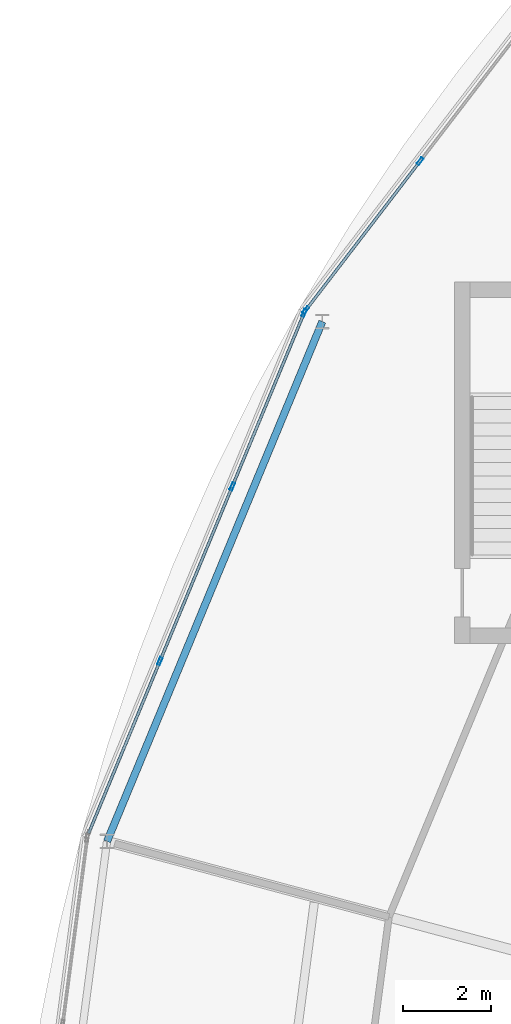
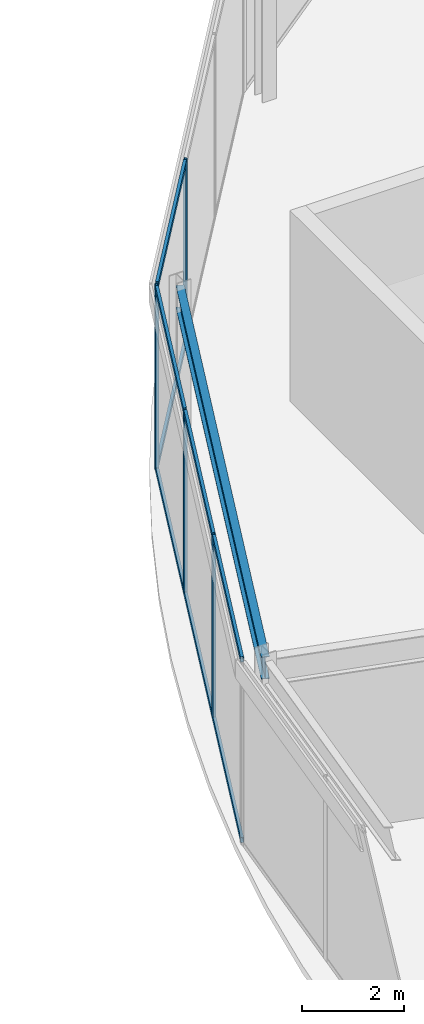
# One storey, part 51 of 133: 13 members, 1 beam, 2 elements without a shape of their own.
"""IFC4 building model written with IfcOpenShell, lengths in metres."""

from ifc_helpers import new_model, si_unit, direction, frame, origin, origin_2d, place, context, subcontext, project, spatial, hollow_rectangle, i_section, extrude, material, material_profile, profile_set, type_object, element, aggregate, save


model = new_model("IFC4")

# Units and contexts
model_context = context("Model", 3, precision=1e-05, world=origin(), true_north=direction((0.0, 1.0)))
body_context = subcontext(model_context, "Body", "Model", "MODEL_VIEW")
ifc_project = project(units=[si_unit("LENGTHUNIT", "METRE"), si_unit("AREAUNIT", "SQUARE_METRE"), si_unit("VOLUMEUNIT", "CUBIC_METRE"), si_unit("PLANEANGLEUNIT", "RADIAN"), si_unit("MASSUNIT", "GRAM", prefix="KILO")], contexts=[model_context])

# Site, building, storey
site_placement = place(None, origin())
site = spatial("IfcSite", under=ifc_project, at=site_placement, CompositionType="ELEMENT")
building_placement = place(site_placement, origin())
building = spatial("IfcBuilding", under=site, at=building_placement, Name="Almandine Court Research Institute", CompositionType="ELEMENT")
storey_placement = place(building_placement, frame((0.0, 0.0, 9.800048828125)))
storey = spatial("IfcBuildingStorey", under=building, at=storey_placement, Name="L02", CompositionType="ELEMENT", Elevation=9.800048828125)

# Beam
ifc_material_1 = material(Name="Steel ASTM A992 Grade 50", Category="steel")
ifc_material_profile_1 = material_profile(ifc_material_1, i_section(OverallWidth=0.166015625, OverallDepth=0.534912109375, WebThickness=0.010009765625, FlangeThickness=0.01708984375, at=origin_2d()), Name="W530x85")
ifc_profile_set_1 = profile_set([ifc_material_profile_1], Name="Steel ASTM A992 Grade 50")
beam_type = type_object("IfcBeamType", Name="Beam-G-05-E", PredefinedType="SPANDREL", material=ifc_profile_set_1)
beam_placement = place(storey_placement, frame((44.65087890625, 80.449951171875, 4.10205078125), z_axis=(-0.382653578879, -0.923891897665, 0.0), x_axis=(0.923891897665, -0.382653578879, 0.0)))
element("IfcBeam", 1, at=beam_placement, inside=storey, type_object=beam_type, Name="L02 Drum OUT Ring Beam 10", PredefinedType="SPANDREL", context=body_context, shape_type="SweptSolid", body=[
    extrude(i_section(OverallWidth=0.166015625, OverallDepth=0.534912109375, WebThickness=0.010009765625, FlangeThickness=0.01708984375, at=origin_2d()), origin(), (0.0, 0.0, 1.0), 12.765625),
])

# Curtain wall, members
ifc_material_2 = material(Name="Unitised Curtain Wall Framing and Solar Glazing", Category="glass")
curtain_wall_type = type_object("IfcCurtainWallType", Name="CW-CWJ-19", PredefinedType="USERDEFINED", material=ifc_material_2)
curtain_wall_1_placement = place(storey_placement, origin())
curtain_wall_1 = element("IfcCurtainWall", 2, at=curtain_wall_1_placement, inside=storey, type_object=curtain_wall_type, Name="L02 Stacked-Ring Drum Outer Solar Jali Screen 09", ObjectType="SOLAR JALI SCREEN", PredefinedType="USERDEFINED")
ifc_material_3 = material(Name="Anodised Aluminium AW-6063-T6", Category="aluminium")
ifc_material_profile_2 = material_profile(ifc_material_3, hollow_rectangle(XDim=0.06494140625, YDim=0.179931640625, WallThickness=0.00390625, at=origin_2d()), Name="ALU RHS 65x180x4")
ifc_profile_set_2 = profile_set([ifc_material_profile_2], Name="Anodised Aluminium AW-6063-T6")
member_type_1 = type_object("IfcMemberType", Name="CWMul-65x180", PredefinedType="MULLION", material=ifc_profile_set_2)
member_1_placement = place(storey_placement, frame((44.27490234375, 80.708740234375, 0.0), z_axis=(0.0, 0.0, 1.0), x_axis=(-0.793382586046, 0.608723313303, 0.0)))
member_1 = element("IfcMember", 3, at=member_1_placement, type_object=member_type_1, Name="CWJ-19 mullion 1", PredefinedType="MULLION", context=body_context, shape_type="SweptSolid", body=[
    extrude(hollow_rectangle(XDim=0.06494140625, YDim=0.179931640625, WallThickness=0.00390625, at=origin_2d()), origin(), (0.0, 0.0, 1.0), 4.369873046875),
])
member_2_placement = place(storey_placement, frame((46.867919921875, 84.088623046875, 0.0), z_axis=(0.0, 0.0, 1.0), x_axis=(-0.793382586046, 0.608723313303, 0.0)))
member_2 = element("IfcMember", 4, at=member_2_placement, type_object=member_type_1, Name="CWJ-19 mullion 2", PredefinedType="MULLION", context=body_context, shape_type="SweptSolid", body=[
    extrude(hollow_rectangle(XDim=0.06494140625, YDim=0.179931640625, WallThickness=0.00390625, at=origin_2d()), origin(), (0.0, 0.0, 1.0), 4.369873046875),
])

curtain_wall_2_placement = place(storey_placement, origin())
curtain_wall_2 = element("IfcCurtainWall", 5, at=curtain_wall_2_placement, inside=storey, type_object=curtain_wall_type, Name="L02 Stacked-Ring Drum Outer Solar Jali Screen 10", ObjectType="SOLAR JALI SCREEN", PredefinedType="USERDEFINED")
member_3_placement = place(storey_placement, frame((40.965576171875, 72.7451171875, 0.0), z_axis=(0.0, 0.0, 1.0), x_axis=(-0.923888124321, 0.382662689242, 0.0)))
member_3 = element("IfcMember", 6, at=member_3_placement, type_object=member_type_1, Name="CWJ-19 mullion 2", PredefinedType="MULLION", context=body_context, shape_type="SweptSolid", body=[
    extrude(hollow_rectangle(XDim=0.06494140625, YDim=0.179931640625, WallThickness=0.00390625, at=origin_2d()), origin(), (0.0, 0.0, 1.0), 4.369873046875),
])
member_4_placement = place(storey_placement, frame((42.6083984375, 76.7109375, 0.0), z_axis=(0.0, 0.0, 1.0), x_axis=(-0.923888124321, 0.382662689242, 0.0)))
member_4 = element("IfcMember", 7, at=member_4_placement, type_object=member_type_1, Name="CWJ-19 mullion 3", PredefinedType="MULLION", context=body_context, shape_type="SweptSolid", body=[
    extrude(hollow_rectangle(XDim=0.06494140625, YDim=0.179931640625, WallThickness=0.00390625, at=origin_2d()), origin(), (0.0, 0.0, 1.0), 4.369873046875),
])
member_5_placement = place(storey_placement, frame((44.238525390625, 80.64697265625, 0.0), z_axis=(0.0, 0.0, 1.0), x_axis=(-0.923888124321, 0.382662689242, 0.0)))
member_5 = element("IfcMember", 8, at=member_5_placement, type_object=member_type_1, Name="CWJ-19 mullion 4", PredefinedType="MULLION", context=body_context, shape_type="SweptSolid", body=[
    extrude(hollow_rectangle(XDim=0.06494140625, YDim=0.179931640625, WallThickness=0.00390625, at=origin_2d()), origin(), (0.0, 0.0, 1.0), 4.369873046875),
])

# Member
ifc_material_profile_3 = material_profile(ifc_material_3, hollow_rectangle(XDim=0.06494140625, YDim=0.1298828125, WallThickness=0.00390625, at=origin_2d()), Name="ALU RHS 65x130x4")
ifc_profile_set_3 = profile_set([ifc_material_profile_3], Name="Anodised Aluminium AW-6063-T6")
member_type_2 = type_object("IfcMemberType", Name="CWTrn-65x130", PredefinedType="NOTDEFINED", material=ifc_profile_set_3)
member_6_placement = place(storey_placement, frame((44.294677734375, 80.734619140625, 0.032470703125), z_axis=(0.608689308041, 0.793408675449, 0.0), x_axis=(-0.793408675449, 0.608689308041, 0.0)))
member_6 = element("IfcMember", 9, at=member_6_placement, type_object=member_type_2, Name="CWJ-19 transom 1.1", ObjectType="TRANSOM", PredefinedType="USERDEFINED", context=body_context, shape_type="SweptSolid", body=[
    extrude(hollow_rectangle(XDim=0.06494140625, YDim=0.1298828125, WallThickness=0.00390625, at=origin_2d()), origin(), (0.0, 0.0, 1.0), 4.195068359375),
])

member_7_placement = place(storey_placement, frame((44.294677734375, 80.734619140625, 4.33740234375), z_axis=(0.608689308041, 0.793408675449, 0.0), x_axis=(-0.793408675449, 0.608689308041, 0.0)))
member_7 = element("IfcMember", 10, at=member_7_placement, type_object=member_type_2, Name="CWJ-19 transom 1.2", ObjectType="TRANSOM", PredefinedType="USERDEFINED", context=body_context, shape_type="SweptSolid", body=[
    extrude(hollow_rectangle(XDim=0.06494140625, YDim=0.1298828125, WallThickness=0.00390625, at=origin_2d()), origin(), (0.0, 0.0, 1.0), 4.195068359375),
])

aggregate(curtain_wall_1, [member_1, member_2, member_6, member_7])

member_8_placement = place(storey_placement, frame((39.347900390625, 68.839111328125, 0.032470703125), z_axis=(0.382631051398, 0.923901227679, 0.0), x_axis=(-0.923901227679, 0.382631051398, 0.0)))
member_8 = element("IfcMember", 11, at=member_8_placement, type_object=member_type_2, Name="CWJ-19 transom 1.1", ObjectType="TRANSOM", PredefinedType="USERDEFINED", context=body_context, shape_type="SweptSolid", body=[
    extrude(hollow_rectangle(XDim=0.06494140625, YDim=0.1298828125, WallThickness=0.00390625, at=origin_2d()), origin(), (0.0, 0.0, 1.0), 4.1953125),
])

member_9_placement = place(storey_placement, frame((39.347900390625, 68.839111328125, 4.33740234375), z_axis=(0.382631051398, 0.923901227679, 0.0), x_axis=(-0.923901227679, 0.382631051398, 0.0)))
member_9 = element("IfcMember", 12, at=member_9_placement, type_object=member_type_2, Name="CWJ-19 transom 1.2", ObjectType="TRANSOM", PredefinedType="USERDEFINED", context=body_context, shape_type="SweptSolid", body=[
    extrude(hollow_rectangle(XDim=0.06494140625, YDim=0.1298828125, WallThickness=0.00390625, at=origin_2d()), origin(), (0.0, 0.0, 1.0), 4.1953125),
])

member_10_placement = place(storey_placement, frame((40.97802734375, 72.775146484375, 0.032470703125), z_axis=(0.382703712437, 0.92387113197, 0.0), x_axis=(-0.92387113197, 0.382703712437, 0.0)))
member_10 = element("IfcMember", 13, at=member_10_placement, type_object=member_type_2, Name="CWJ-19 transom 2.1", ObjectType="TRANSOM", PredefinedType="USERDEFINED", context=body_context, shape_type="SweptSolid", body=[
    extrude(hollow_rectangle(XDim=0.06494140625, YDim=0.1298828125, WallThickness=0.00390625, at=origin_2d()), origin(), (0.0, 0.0, 1.0), 4.2275390625),
])

member_11_placement = place(storey_placement, frame((40.97802734375, 72.775146484375, 4.33740234375), z_axis=(0.382703712437, 0.92387113197, 0.0), x_axis=(-0.92387113197, 0.382703712437, 0.0)))
member_11 = element("IfcMember", 14, at=member_11_placement, type_object=member_type_2, Name="CWJ-19 transom 2.2", ObjectType="TRANSOM", PredefinedType="USERDEFINED", context=body_context, shape_type="SweptSolid", body=[
    extrude(hollow_rectangle(XDim=0.06494140625, YDim=0.1298828125, WallThickness=0.00390625, at=origin_2d()), origin(), (0.0, 0.0, 1.0), 4.2275390625),
])

member_12_placement = place(storey_placement, frame((42.620849609375, 76.740966796875, 0.032470703125), z_axis=(0.382631051398, 0.923901227679, 0.0), x_axis=(-0.923901227679, 0.382631051398, 0.0)))
member_12 = element("IfcMember", 15, at=member_12_placement, type_object=member_type_2, Name="CWJ-19 transom 3.1", ObjectType="TRANSOM", PredefinedType="USERDEFINED", context=body_context, shape_type="SweptSolid", body=[
    extrude(hollow_rectangle(XDim=0.06494140625, YDim=0.1298828125, WallThickness=0.00390625, at=origin_2d()), origin(), (0.0, 0.0, 1.0), 4.1953125),
])

member_13_placement = place(storey_placement, frame((42.620849609375, 76.740966796875, 4.33740234375), z_axis=(0.382631051398, 0.923901227679, 0.0), x_axis=(-0.923901227679, 0.382631051398, 0.0)))
member_13 = element("IfcMember", 16, at=member_13_placement, type_object=member_type_2, Name="CWJ-19 transom 3.2", ObjectType="TRANSOM", PredefinedType="USERDEFINED", context=body_context, shape_type="SweptSolid", body=[
    extrude(hollow_rectangle(XDim=0.06494140625, YDim=0.1298828125, WallThickness=0.00390625, at=origin_2d()), origin(), (0.0, 0.0, 1.0), 4.1953125),
])

aggregate(curtain_wall_2, [member_3, member_4, member_5, member_8, member_9, member_10, member_11, member_12, member_13])

save(model, "model.ifc")
